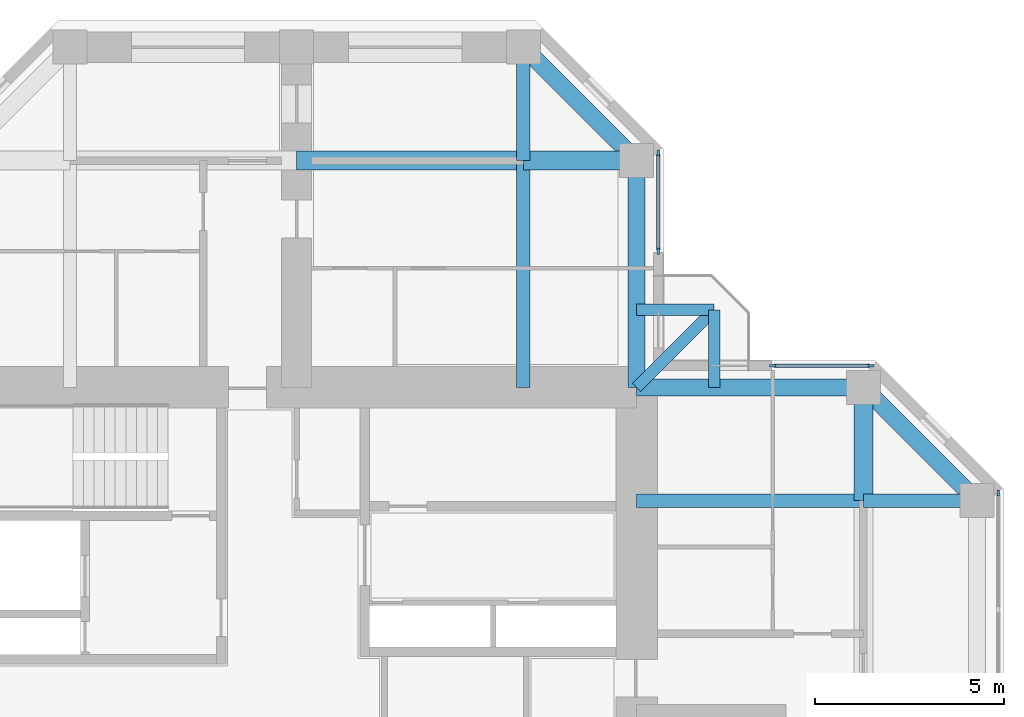
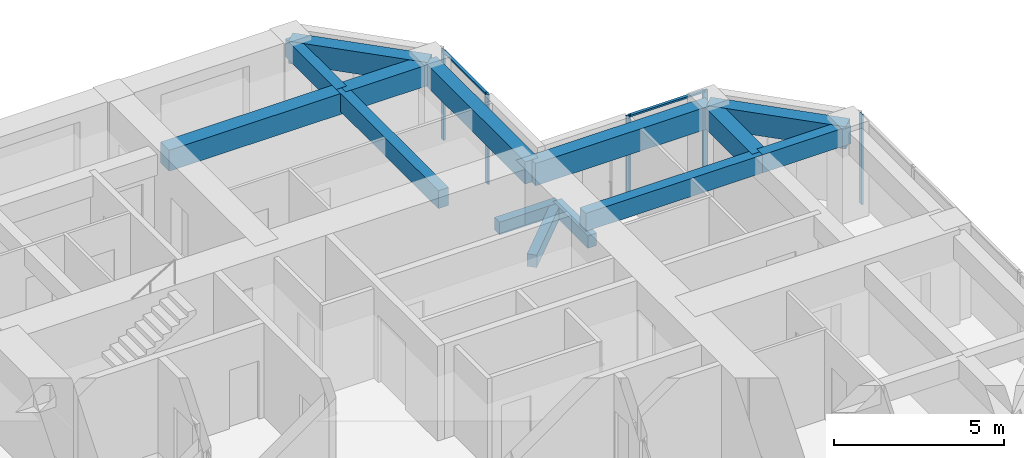
# One storey, part 6 of 14: 14 beams, 7 members, 3 elements without a shape of their own.
"""IFC4 building model written with IfcOpenShell, lengths in metres."""

from ifc_helpers import new_model, si_unit, direction, frame, origin, origin_2d, place, context, subcontext, project, spatial, rectangle, extrude, material, material_profile, profile_set, type_object, element, aggregate, save


model = new_model("IFC4")

# Units and contexts
model_context = context("Model", 3, precision=1e-05, world=origin(), true_north=direction((0.0, 1.0)))
body_context = subcontext(model_context, "Body", "Model", "MODEL_VIEW")
ifc_project = project(units=[si_unit("LENGTHUNIT", "METRE"), si_unit("AREAUNIT", "SQUARE_METRE"), si_unit("VOLUMEUNIT", "CUBIC_METRE"), si_unit("PLANEANGLEUNIT", "RADIAN"), si_unit("MASSUNIT", "GRAM", prefix="KILO")], contexts=[model_context])

# Site, building, storey
site_placement = place(None, origin())
site = spatial("IfcSite", under=ifc_project, at=site_placement, CompositionType="ELEMENT")
building_placement = place(site_placement, origin())
building = spatial("IfcBuilding", under=site, at=building_placement, Name="Torre Cruceta", CompositionType="ELEMENT")
storey_placement = place(building_placement, frame((0.0, 0.0, 179.699951171875)))
storey = spatial("IfcBuildingStorey", under=building, at=storey_placement, Name="L44", CompositionType="ELEMENT", Elevation=179.699951171875)

# Beams
ifc_material_1 = material(Name="Concrete G60 (fck 60 MPa)", Category="concrete")
ifc_material_profile_1 = material_profile(ifc_material_1, rectangle(XDim=0.300048828125, YDim=0.449951171875, at=origin_2d()), Name="RC 300X450")
ifc_profile_set_1 = profile_set([ifc_material_profile_1], Name="Concrete G60 (fck 60 MPa)")
beam_type_1 = type_object("IfcBeamType", Name="BALCONY CANTILEVER BEAM RC 300X450", PredefinedType="BEAM", material=ifc_profile_set_1)
beam_1_placement = place(storey_placement, frame((9.0, 9.0, -0.405029296875), z_axis=(0.707106781187, 0.707106781187, 0.0), x_axis=(-0.707106781187, 0.707106781187, 0.0)))
element("IfcBeam", 1, at=beam_1_placement, inside=storey, type_object=beam_type_1, Name="BB1 balcony beam L44 E", PredefinedType="BEAM", context=body_context, shape_type="SweptSolid", body=[
    extrude(rectangle(XDim=0.300048828125, YDim=0.449951171875, at=origin_2d()), origin(), (0.0, 0.0, 1.0), 2.89990234375),
])
for number, where, z_axis, x_axis, name in (
    (2, (11.050537109375, 9.0, -0.405029296875), (0.0, 1.0, 0.0), (-1.0, 0.0, 0.0), "BB1 balcony edge beam L44 E-X"),
    (3, (9.0, 11.050537109375, -0.405029296875), (1.0, 0.0, 0.0), (0.0, 1.0, 0.0), "BB1 balcony edge beam L44 E-Y"),
):
    element("IfcBeam", number, at=place(storey_placement, frame(where, z_axis=z_axis, x_axis=x_axis)), inside=storey, type_object=beam_type_1, Name=name, PredefinedType="BEAM", context=body_context, shape_type="SweptSolid", body=[
        extrude(rectangle(XDim=0.300048828125, YDim=0.449951171875, at=origin_2d()), origin(), (0.0, 0.0, 1.0), 2.050537109375),
    ])
ifc_material_2 = material(Name="Concrete G60 (fck 60 MPa)", Category="concrete")
ifc_material_profile_2 = material_profile(ifc_material_2, rectangle(XDim=0.35009765625, YDim=0.64990234375, at=origin_2d()), Name="RC 350X650")
ifc_profile_set_2 = profile_set([ifc_material_profile_2], Name="Concrete G60 (fck 60 MPa)")
beam_type_2 = type_object("IfcBeamType", Name="COLUMN LINE BEAM RC 350X650", PredefinedType="BEAM", material=ifc_profile_set_2)
beam_2_placement = place(storey_placement, frame((6.0, 9.0, 2.89501953125), z_axis=(0.0, 1.0, 0.0), x_axis=(-1.0, 0.0, 0.0)))
element("IfcBeam", 4, at=beam_2_placement, inside=storey, type_object=beam_type_2, Name="LB7 L44 N col- 1", PredefinedType="BEAM", context=body_context, shape_type="SweptSolid", body=[
    extrude(rectangle(XDim=0.35009765625, YDim=0.64990234375, at=origin_2d()), origin(), (0.0, 0.0, 1.0), 6.0),
])
beam_3_placement = place(storey_placement, frame((6.0, 15.0, 2.89501953125), z_axis=(0.0, 1.0, 0.0), x_axis=(-1.0, 0.0, 0.0)))
element("IfcBeam", 5, at=beam_3_placement, inside=storey, type_object=beam_type_2, Name="LB7 L44 N col- 2", PredefinedType="BEAM", context=body_context, shape_type="SweptSolid", body=[
    extrude(rectangle(XDim=0.35009765625, YDim=0.64990234375, at=origin_2d()), origin(), (0.0, 0.0, 1.0), 3.0),
])
beam_4_placement = place(storey_placement, frame((9.0, 6.0, 2.89501953125), z_axis=(1.0, 0.0, 0.0), x_axis=(0.0, 1.0, 0.0)))
element("IfcBeam", 6, at=beam_4_placement, inside=storey, type_object=beam_type_2, Name="LB7 L44 E col+ 1", PredefinedType="BEAM", context=body_context, shape_type="SweptSolid", body=[
    extrude(rectangle(XDim=0.35009765625, YDim=0.64990234375, at=origin_2d()), origin(), (0.0, 0.0, 1.0), 6.0),
])
beam_5_placement = place(storey_placement, frame((15.0, 6.0, 2.89501953125), z_axis=(1.0, 0.0, 0.0), x_axis=(0.0, 1.0, 0.0)))
element("IfcBeam", 7, at=beam_5_placement, inside=storey, type_object=beam_type_2, Name="LB7 L44 E col+ 2", PredefinedType="BEAM", context=body_context, shape_type="SweptSolid", body=[
    extrude(rectangle(XDim=0.35009765625, YDim=0.64990234375, at=origin_2d()), origin(), (0.0, 0.0, 1.0), 3.0),
])
ifc_material_3 = material(Name="Concrete G60 (fck 60 MPa)", Category="concrete")
ifc_material_profile_3 = material_profile(ifc_material_3, rectangle(XDim=0.5, YDim=0.75, at=origin_2d()), Name="RC 500X750")
ifc_profile_set_3 = profile_set([ifc_material_profile_3], Name="Concrete G60 (fck 60 MPa)")
beam_type_3 = type_object("IfcBeamType", Name="CROSS BEAM RC 500X750", PredefinedType="BEAM", material=ifc_profile_set_3)
beam_6_placement = place(storey_placement, frame((9.0, 15.0, 2.844970703125), z_axis=(-1.0, 0.0, 0.0), x_axis=(0.0, -1.0, 0.0)))
element("IfcBeam", 8, at=beam_6_placement, inside=storey, type_object=beam_type_3, Name="GB6 L44 N cross15 1", PredefinedType="BEAM", context=body_context, shape_type="SweptSolid", body=[
    extrude(rectangle(XDim=0.5, YDim=0.75, at=origin_2d()), origin(), (0.0, 0.0, 1.0), 3.0),
])
beam_7_placement = place(storey_placement, frame((6.0, 15.0, 2.844970703125), z_axis=(-1.0, 0.0, 0.0), x_axis=(0.0, -1.0, 0.0)))
element("IfcBeam", 9, at=beam_7_placement, inside=storey, type_object=beam_type_3, Name="GB6 L44 N cross15 2", PredefinedType="BEAM", context=body_context, shape_type="SweptSolid", body=[
    extrude(rectangle(XDim=0.5, YDim=0.75, at=origin_2d()), origin(), (0.0, 0.0, 1.0), 6.0),
])
beam_8_placement = place(storey_placement, frame((15.0, 6.0, 2.844970703125), z_axis=(0.0, 1.0, 0.0), x_axis=(-1.0, 0.0, 0.0)))
element("IfcBeam", 10, at=beam_8_placement, inside=storey, type_object=beam_type_3, Name="GB6 L44 E cross15 4", PredefinedType="BEAM", context=body_context, shape_type="SweptSolid", body=[
    extrude(rectangle(XDim=0.5, YDim=0.75, at=origin_2d()), origin(), (0.0, 0.0, 1.0), 3.0),
])

# Curtain wall, member
ifc_material_4 = material(Name="Aluminium unitised curtain wall", Category="aluminium")
curtain_wall_type = type_object("IfcCurtainWallType", Name="CURTAIN WALL CW-C CO-LIVING", PredefinedType="USERDEFINED", material=ifc_material_4)
curtain_wall_1_placement = place(storey_placement, origin())
curtain_wall_1 = element("IfcCurtainWall", 11, at=curtain_wall_1_placement, inside=storey, type_object=curtain_wall_type, Name="CW-C L44 E tip 02", ObjectType="UNITISED", PredefinedType="USERDEFINED")
ifc_material_5 = material(Name="Aluminium mullion", Category="aluminium")
ifc_material_profile_4 = material_profile(ifc_material_5, rectangle(XDim=0.06005859375, YDim=0.159912109375, at=origin_2d()), Name="AL 60X160")
ifc_profile_set_4 = profile_set([ifc_material_profile_4], Name="Aluminium mullion")
member_type_1 = type_object("IfcMemberType", Name="CW-C MULLION 60X160", PredefinedType="MULLION", material=ifc_profile_set_4)
member_1_placement = place(storey_placement, frame((18.570068359375, 6.2060546875, 0.0), z_axis=(0.0, 0.0, 1.0), x_axis=(-1.0, 0.0, 0.0)))
member_1 = element("IfcMember", 12, at=member_1_placement, type_object=member_type_1, Name="CW-C mullion 5", PredefinedType="MULLION", context=body_context, shape_type="SweptSolid", body=[
    extrude(rectangle(XDim=0.06005859375, YDim=0.159912109375, at=origin_2d()), origin(), (0.0, 0.0, 1.0), 3.219970703125),
])
aggregate(curtain_wall_1, [member_1])

# Curtain wall, members
curtain_wall_2_placement = place(storey_placement, origin())
curtain_wall_2 = element("IfcCurtainWall", 13, at=curtain_wall_2_placement, inside=storey, type_object=curtain_wall_type, Name="CW-C L44 E side 04", ObjectType="UNITISED", PredefinedType="USERDEFINED")
member_2_placement = place(storey_placement, frame((15.2060546875, 9.570068359375, 0.0), z_axis=(0.0, 0.0, 1.0), x_axis=(0.0, -1.0, 0.0)))
member_2 = element("IfcMember", 14, at=member_2_placement, type_object=member_type_1, Name="CW-C mullion 1", PredefinedType="MULLION", context=body_context, shape_type="SweptSolid", body=[
    extrude(rectangle(XDim=0.06005859375, YDim=0.159912109375, at=origin_2d()), origin(), (0.0, 0.0, 1.0), 3.219970703125),
])
member_3_placement = place(storey_placement, frame((12.60009765625, 9.570068359375, 0.0), z_axis=(0.0, 0.0, 1.0), x_axis=(0.0, -1.0, 0.0)))
member_3 = element("IfcMember", 15, at=member_3_placement, type_object=member_type_1, Name="CW-C mullion 2", PredefinedType="MULLION", context=body_context, shape_type="SweptSolid", body=[
    extrude(rectangle(XDim=0.06005859375, YDim=0.159912109375, at=origin_2d()), origin(), (0.0, 0.0, 1.0), 3.219970703125),
])

curtain_wall_3_placement = place(storey_placement, origin())
curtain_wall_3 = element("IfcCurtainWall", 16, at=curtain_wall_3_placement, inside=storey, type_object=curtain_wall_type, Name="CW-C L44 N side 05", ObjectType="UNITISED", PredefinedType="USERDEFINED")
member_4_placement = place(storey_placement, frame((9.570068359375, 12.60009765625, 0.0), z_axis=(0.0, 0.0, 1.0), x_axis=(-1.0, 0.0, 0.0)))
member_4 = element("IfcMember", 17, at=member_4_placement, type_object=member_type_1, Name="CW-C mullion 1", PredefinedType="MULLION", context=body_context, shape_type="SweptSolid", body=[
    extrude(rectangle(XDim=0.06005859375, YDim=0.159912109375, at=origin_2d()), origin(), (0.0, 0.0, 1.0), 3.219970703125),
])
member_5_placement = place(storey_placement, frame((9.570068359375, 15.2060546875, 0.0), z_axis=(0.0, 0.0, 1.0), x_axis=(-1.0, 0.0, 0.0)))
member_5 = element("IfcMember", 18, at=member_5_placement, type_object=member_type_1, Name="CW-C mullion 2", PredefinedType="MULLION", context=body_context, shape_type="SweptSolid", body=[
    extrude(rectangle(XDim=0.06005859375, YDim=0.159912109375, at=origin_2d()), origin(), (0.0, 0.0, 1.0), 3.219970703125),
])

# Member
ifc_material_6 = material(Name="Aluminium transom", Category="aluminium")
ifc_material_profile_5 = material_profile(ifc_material_6, rectangle(XDim=0.10009765625, YDim=0.06005859375, at=origin_2d()), Name="AL 100X60")
ifc_profile_set_5 = profile_set([ifc_material_profile_5], Name="Aluminium transom")
member_type_2 = type_object("IfcMemberType", Name="CW-C TRANSOM 60X100", PredefinedType="USERDEFINED", material=ifc_profile_set_5)
member_6_placement = place(storey_placement, frame((15.176025390625, 9.570068359375, 3.18994140625), z_axis=(-1.0, 0.0, 0.0), x_axis=(0.0, -1.0, 0.0)))
member_6 = element("IfcMember", 19, at=member_6_placement, type_object=member_type_2, Name="CW-C transom 1", ObjectType="TRANSOM", PredefinedType="USERDEFINED", context=body_context, shape_type="SweptSolid", body=[
    extrude(rectangle(XDim=0.10009765625, YDim=0.06005859375, at=origin_2d()), origin(), (0.0, 0.0, 1.0), 2.546142578125),
])

aggregate(curtain_wall_2, [member_2, member_3, member_6])

member_7_placement = place(storey_placement, frame((9.570068359375, 12.6298828125, 3.18994140625), z_axis=(0.0, 1.0, 0.0), x_axis=(-1.0, 0.0, 0.0)))
member_7 = element("IfcMember", 20, at=member_7_placement, type_object=member_type_2, Name="CW-C transom 1", ObjectType="TRANSOM", PredefinedType="USERDEFINED", context=body_context, shape_type="SweptSolid", body=[
    extrude(rectangle(XDim=0.10009765625, YDim=0.06005859375, at=origin_2d()), origin(), (0.0, 0.0, 1.0), 2.546142578125),
])

aggregate(curtain_wall_3, [member_4, member_5, member_7])

# Beams
ifc_material_7 = material(Name="Concrete G60 (fck 60 MPa)", Category="concrete")
ifc_material_profile_6 = material_profile(ifc_material_7, rectangle(XDim=0.449951171875, YDim=0.800048828125, at=origin_2d()), Name="RC 450X800")
ifc_profile_set_6 = profile_set([ifc_material_profile_6], Name="Concrete G60 (fck 60 MPa)")
beam_type_4 = type_object("IfcBeamType", Name="SPANDREL BEAM RC 450X800", PredefinedType="SPANDREL", material=ifc_profile_set_6)
beam_9_placement = place(storey_placement, frame((9.0, 9.0, 2.820068359375), z_axis=(0.0, 1.0, 0.0), x_axis=(-1.0, 0.0, 0.0)))
element("IfcBeam", 21, at=beam_9_placement, inside=storey, type_object=beam_type_4, Name="SB6 L44 N side- 1", PredefinedType="SPANDREL", context=body_context, shape_type="SweptSolid", body=[
    extrude(rectangle(XDim=0.449951171875, YDim=0.800048828125, at=origin_2d()), origin(), (0.0, 0.0, 1.0), 6.0),
])
beam_10_placement = place(storey_placement, frame((9.0, 15.0, 2.820068359375), z_axis=(-0.707106781187, 0.707106781187, 0.0), x_axis=(-0.707106781187, -0.707106781187, 0.0)))
element("IfcBeam", 22, at=beam_10_placement, inside=storey, type_object=beam_type_4, Name="SB6 L44 N side- 2", PredefinedType="SPANDREL", context=body_context, shape_type="SweptSolid", body=[
    extrude(rectangle(XDim=0.449951171875, YDim=0.800048828125, at=origin_2d()), origin(), (0.0, 0.0, 1.0), 4.24267578125),
])
beam_11_placement = place(storey_placement, frame((9.0, 9.0, 2.820068359375), z_axis=(1.0, 0.0, 0.0), x_axis=(0.0, 1.0, 0.0)))
element("IfcBeam", 23, at=beam_11_placement, inside=storey, type_object=beam_type_4, Name="SB6 L44 E side+ 1", PredefinedType="SPANDREL", context=body_context, shape_type="SweptSolid", body=[
    extrude(rectangle(XDim=0.449951171875, YDim=0.800048828125, at=origin_2d()), origin(), (0.0, 0.0, 1.0), 6.0),
])
beam_12_placement = place(storey_placement, frame((15.0, 9.0, 2.820068359375), z_axis=(0.707106781187, -0.707106781187, 0.0), x_axis=(0.707106781187, 0.707106781187, 0.0)))
element("IfcBeam", 24, at=beam_12_placement, inside=storey, type_object=beam_type_4, Name="SB6 L44 E side+ 2", PredefinedType="SPANDREL", context=body_context, shape_type="SweptSolid", body=[
    extrude(rectangle(XDim=0.449951171875, YDim=0.800048828125, at=origin_2d()), origin(), (0.0, 0.0, 1.0), 4.24267578125),
])

save(model, "model.ifc")
